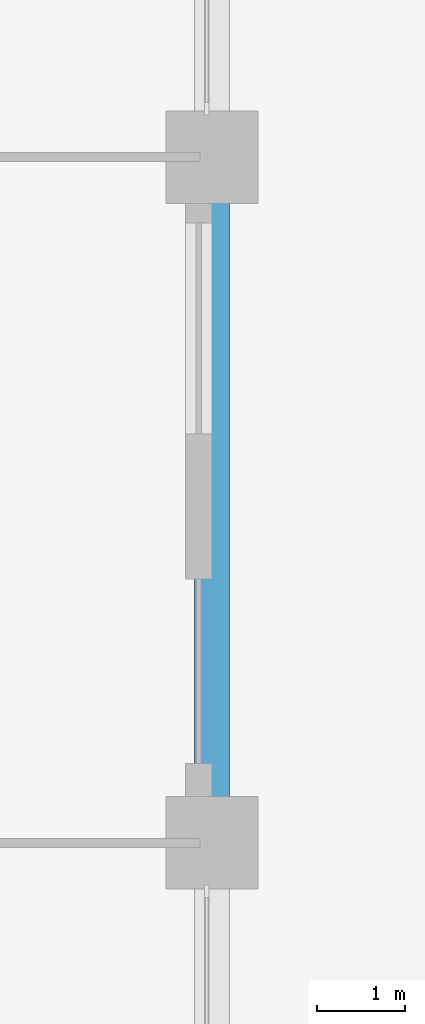
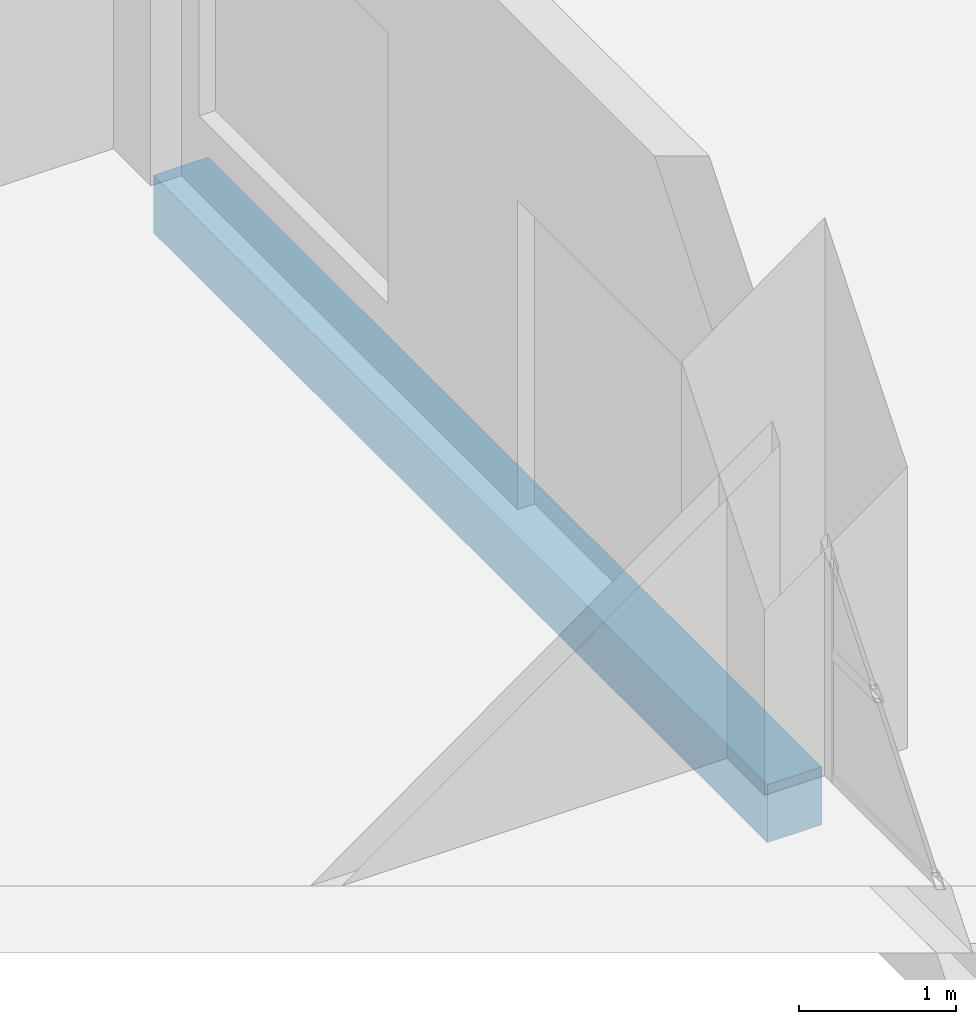
# One storey, part 5 of 31: 1 beam.
"""IFC4 building model written with IfcOpenShell, lengths in metres."""

from ifc_helpers import new_model, si_unit, direction, frame, origin, origin_2d, place, context, subcontext, project, spatial, rectangle, extrude, material, material_profile, profile_set, type_object, element, save


model = new_model("IFC4")

# Units and contexts
model_context = context("Model", 3, precision=1e-05, world=origin(), true_north=direction((0.0, 1.0)))
body_context = subcontext(model_context, "Body", "Model", "MODEL_VIEW")
ifc_project = project(units=[si_unit("LENGTHUNIT", "METRE"), si_unit("AREAUNIT", "SQUARE_METRE"), si_unit("VOLUMEUNIT", "CUBIC_METRE"), si_unit("PLANEANGLEUNIT", "RADIAN"), si_unit("MASSUNIT", "GRAM", prefix="KILO")], contexts=[model_context])

# Site, building, storey
site_placement = place(None, origin())
site = spatial("IfcSite", under=ifc_project, at=site_placement, CompositionType="ELEMENT")
building_placement = place(site_placement, origin())
building = spatial("IfcBuilding", under=site, at=building_placement, Name="Ludao Terraces", CompositionType="ELEMENT")
storey_placement = place(building_placement, frame((0.0, 0.0, 15.0)))
storey = spatial("IfcBuildingStorey", under=building, at=storey_placement, Name="L03", CompositionType="ELEMENT", Elevation=15.0)

# Beam
ifc_material = material(Name="Concrete C40", Category="concrete")
ifc_material_profile = material_profile(ifc_material, rectangle(XDim=0.39990234375, YDim=0.449951171875, at=origin_2d()), Name="400 X 450")
ifc_profile_set = profile_set([ifc_material_profile], Name="Concrete C40")
beam_type = type_object("IfcBeamType", Name="RC beam 400x450 C40", PredefinedType="BEAM", material=ifc_profile_set)
beam_placement = place(storey_placement, frame((108.39990234375, 57.199951171875, -0.574951171875), z_axis=(0.0, 1.0, 0.0), x_axis=(-1.0, 0.0, 0.0)))
element("IfcBeam", 1, at=beam_placement, inside=storey, type_object=beam_type, Name="Spandrel beam L03 E21", PredefinedType="BEAM", context=body_context, shape_type="SweptSolid", body=[
    extrude(rectangle(XDim=0.39990234375, YDim=0.449951171875, at=origin_2d()), origin(), (0.0, 0.0, 1.0), 7.800048828125),
])

save(model, "model.ifc")
